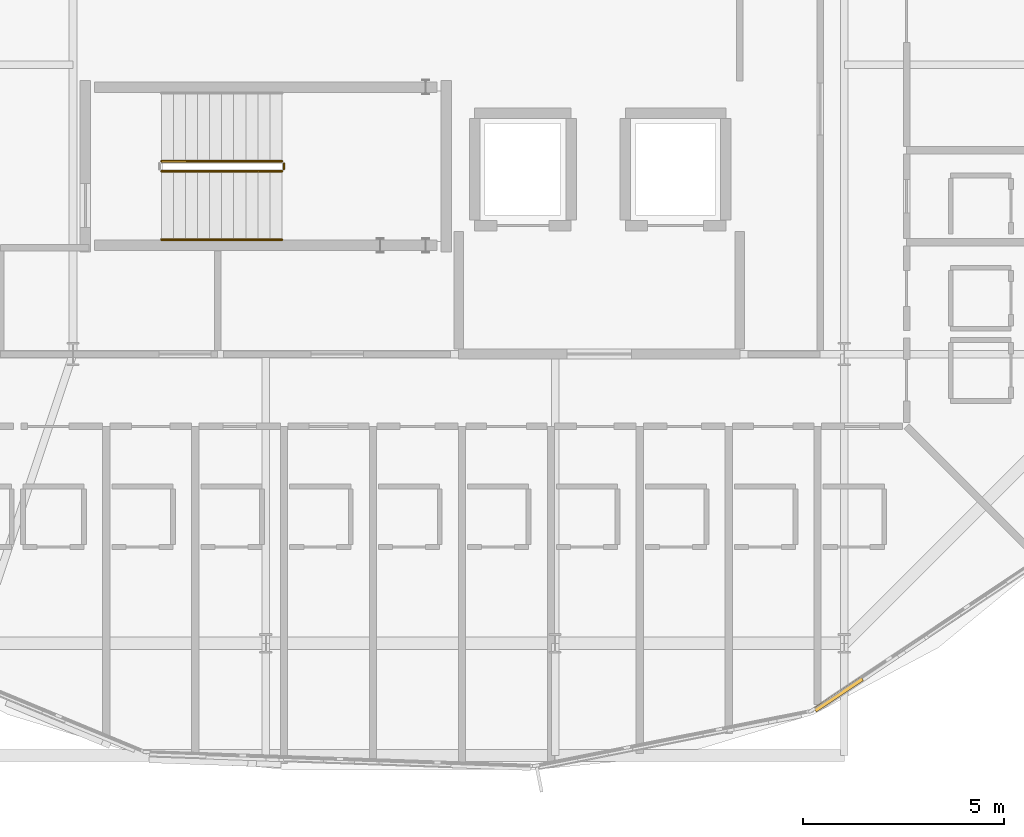
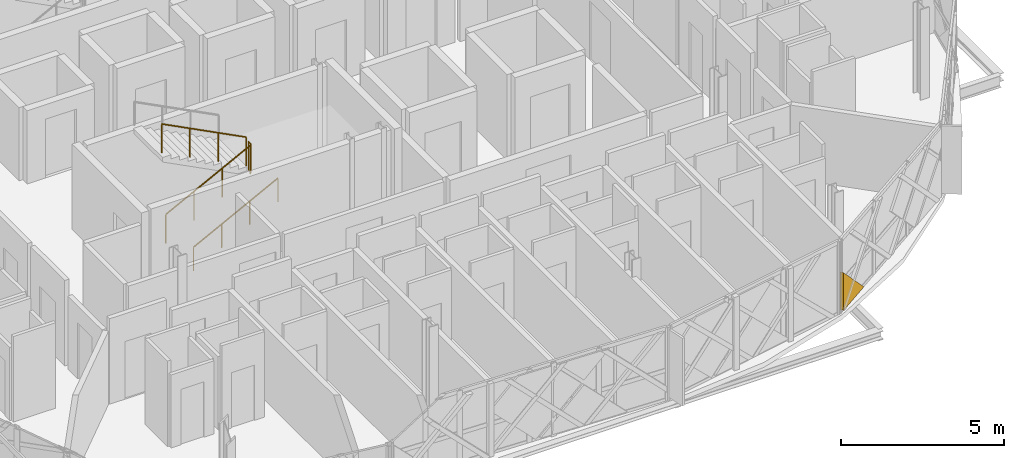
# One storey, part 37 of 40: 4 railings, 1 covering.
"""IFC4 building model written with IfcOpenShell, lengths in metres."""

from ifc_helpers import new_model, si_unit, direction, frame, origin, origin_2d, place, context, subcontext, project, spatial, polyline, circle, outline, extrude, material, layer, layer_set, type_object, element, save


model = new_model("IFC4")

# Units and contexts
model_context = context("Model", 3, precision=1e-05, world=origin(), true_north=direction((0.0, 1.0)))
body_context = subcontext(model_context, "Body", "Model", "MODEL_VIEW")
ifc_project = project(units=[si_unit("LENGTHUNIT", "METRE"), si_unit("AREAUNIT", "SQUARE_METRE"), si_unit("VOLUMEUNIT", "CUBIC_METRE"), si_unit("PLANEANGLEUNIT", "RADIAN"), si_unit("MASSUNIT", "GRAM", prefix="KILO")], contexts=[model_context])

# Site, building, storey
site_placement = place(None, origin())
site = spatial("IfcSite", under=ifc_project, at=site_placement, CompositionType="ELEMENT")
building_placement = place(site_placement, origin())
building = spatial("IfcBuilding", under=site, at=building_placement, Name="Zevrakil Square Congress Hotel", CompositionType="ELEMENT")
storey_placement = place(building_placement, frame((0.0, 0.0, 18.10009765625)))
storey = spatial("IfcBuildingStorey", under=building, at=storey_placement, Name="L05", CompositionType="ELEMENT", Elevation=18.10009765625)

# Covering
ifc_material_1 = material(Name="Architectural White Fibre-C GRC", Category="concrete")
ifc_layer = layer(ifc_material_1, 0.06494140625)
ifc_layer_set = layer_set([ifc_layer], Name="Architectural White Fibre-C GRC")
covering_type = type_object("IfcCoveringType", Name="COV-DIA-WHITE", PredefinedType="CLADDING", material=ifc_layer_set)
covering_placement = place(storey_placement, frame((156.476806640625, 8.67431640625, 0.079833984375), z_axis=(0.555618744306, -0.83143696172, 0.000624229289), x_axis=(-0.831437123709, -0.555618852558, 0.0)))
element("IfcCovering", 1, at=covering_placement, inside=storey, type_object=covering_type, Name="L05 45-degree white GRC diamond facade cassette 2337", PredefinedType="CLADDING", context=body_context, shape_type="SweptSolid", body=[
    extrude(outline(polyline([(0.0, 0.0), (1.4100444252712594, -1.0842021724855044e-19), (1.4100434530275447, -1.4101565247423773), (0.0, 0.0)])), origin(), (0.0, 0.0, -1.0), 0.1201171875),
])

# Railings
ifc_material_2 = material(Name="Steel S355", Category="steel")
railing_type_1 = type_object("IfcRailingType", Name="RLG-STAIR-GUARD-1100", PredefinedType="BALUSTRADE", material=ifc_material_2)
railing_1_placement = place(storey_placement, frame((139.0, 21.35009765625, 0.154541015625)))
element("IfcRailing", 2, at=railing_1_placement, inside=storey, type_object=railing_type_1, Name="L05 ST01 stair guard 1", PredefinedType="BALUSTRADE", context=body_context, shape_type="SweptSolid", body=[
    extrude(circle(Radius=0.02392578125, at=origin_2d()), frame((0.0, 0.0, 1.076171875), z_axis=(0.888979911393, 0.0, 0.45794619459), x_axis=(0.0, 1.0, 0.0)), (0.0, 0.0, 1.0), 3.374755859375),
    extrude(circle(Radius=0.02099609375, at=origin_2d()), origin(), (0.0, 0.0, 1.0), 1.052001953125),
    extrude(circle(Radius=0.02099609375, at=origin_2d()), frame((1.0, 0.0, 0.51513671875)), (0.0, 0.0, 1.0), 1.052001953125),
    extrude(circle(Radius=0.02099609375, at=origin_2d()), frame((2.0, 0.0, 1.0302734375)), (0.0, 0.0, 1.0), 1.052001953125),
    extrude(circle(Radius=0.02099609375, at=origin_2d()), frame((3.0, 0.0, 1.54541015625)), (0.0, 0.0, 1.0), 1.052001953125),
])
railing_2_placement = place(storey_placement, frame((142.050048828125, 21.39990234375, 1.699951171875)))
element("IfcRailing", 3, at=railing_2_placement, inside=storey, type_object=railing_type_1, Name="L05 ST01 stair guard 2", PredefinedType="BALUSTRADE", context=body_context, shape_type="SweptSolid", body=[
    extrude(circle(Radius=0.02392578125, at=origin_2d()), frame((0.0, 0.0, 1.076171875), z_axis=(0.0, 1.0, 0.0), x_axis=(-1.0, 0.0, 0.0)), (0.0, 0.0, 1.0), 0.150146484375),
    extrude(circle(Radius=0.02099609375, at=origin_2d()), origin(), (0.0, 0.0, 1.0), 1.052001953125),
    extrude(circle(Radius=0.02099609375, at=origin_2d()), frame((0.0, 0.150146484375, 0.0)), (0.0, 0.0, 1.0), 1.052001953125),
])
railing_3_placement = place(storey_placement, frame((142.0, 21.60009765625, 1.8544921875)))
element("IfcRailing", 4, at=railing_3_placement, inside=storey, type_object=railing_type_1, Name="L05 ST01 stair guard 3", PredefinedType="BALUSTRADE", context=body_context, shape_type="SweptSolid", body=[
    extrude(circle(Radius=0.02392578125, at=origin_2d()), frame((0.0, 0.0, 1.076171875), z_axis=(-0.888979911393, 0.0, 0.45794619459), x_axis=(0.0, -1.0, 0.0)), (0.0, 0.0, 1.0), 3.374755859375),
    extrude(circle(Radius=0.02099609375, at=origin_2d()), origin(), (0.0, 0.0, 1.0), 1.052001953125),
    extrude(circle(Radius=0.02099609375, at=origin_2d()), frame((-1.0, 0.0, 0.51513671875)), (0.0, 0.0, 1.0), 1.052001953125),
    extrude(circle(Radius=0.02099609375, at=origin_2d()), frame((-2.0, 0.0, 1.0302734375)), (0.0, 0.0, 1.0), 1.052001953125),
    extrude(circle(Radius=0.02099609375, at=origin_2d()), frame((-3.0, 0.0, 1.54541015625)), (0.0, 0.0, 1.0), 1.052001953125),
])
ifc_material_3 = material(Name="Steel S355", Category="steel")
railing_type_2 = type_object("IfcRailingType", Name="RLG-STAIR-HAND-900", PredefinedType="HANDRAIL", material=ifc_material_3)
railing_4_placement = place(storey_placement, frame((139.0, 19.64990234375, 0.154541015625)))
element("IfcRailing", 5, at=railing_4_placement, inside=storey, type_object=railing_type_2, Name="L05 ST01 stair handrail 1", PredefinedType="HANDRAIL", context=body_context, shape_type="SweptSolid", body=[
    extrude(circle(Radius=0.02392578125, at=origin_2d()), frame((0.0, 0.0, 0.8759765625), z_axis=(0.888979911393, 0.0, 0.45794619459), x_axis=(0.0, 1.0, 0.0)), (0.0, 0.0, 1.0), 3.374755859375),
    extrude(circle(Radius=0.02099609375, at=origin_2d()), origin(), (0.0, 0.0, 1.0), 0.851806640625),
    extrude(circle(Radius=0.02099609375, at=origin_2d()), frame((1.0, 0.0, 0.51513671875)), (0.0, 0.0, 1.0), 0.851806640625),
    extrude(circle(Radius=0.02099609375, at=origin_2d()), frame((2.0, 0.0, 1.0302734375)), (0.0, 0.0, 1.0), 0.851806640625),
    extrude(circle(Radius=0.02099609375, at=origin_2d()), frame((3.0, 0.0, 1.54541015625)), (0.0, 0.0, 1.0), 0.851806640625),
])

save(model, "model.ifc")
